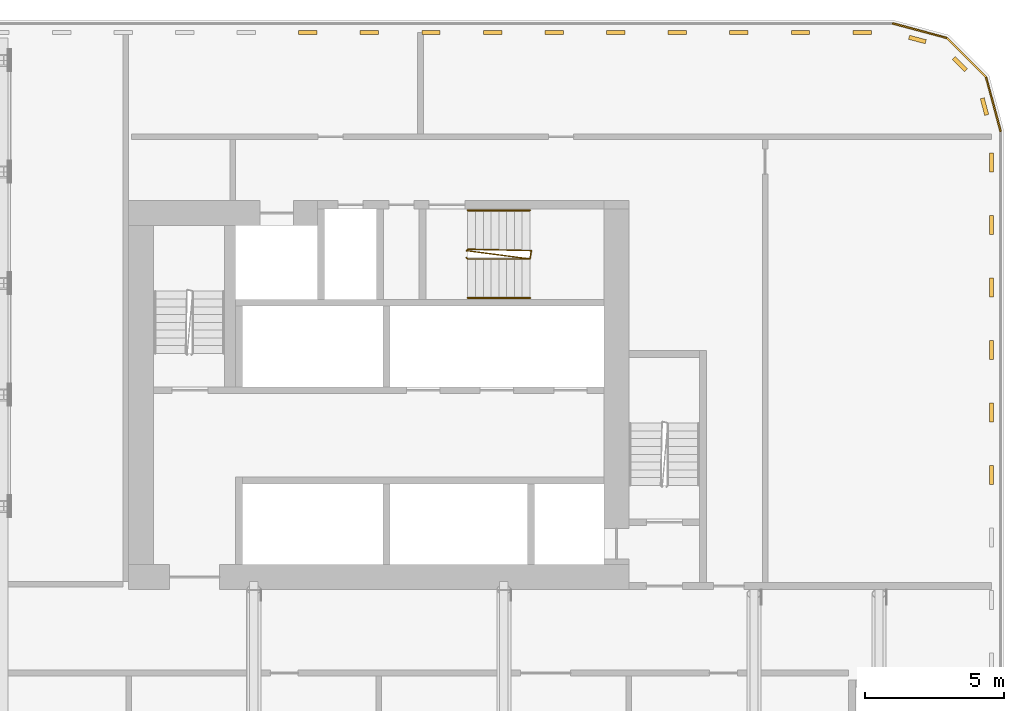
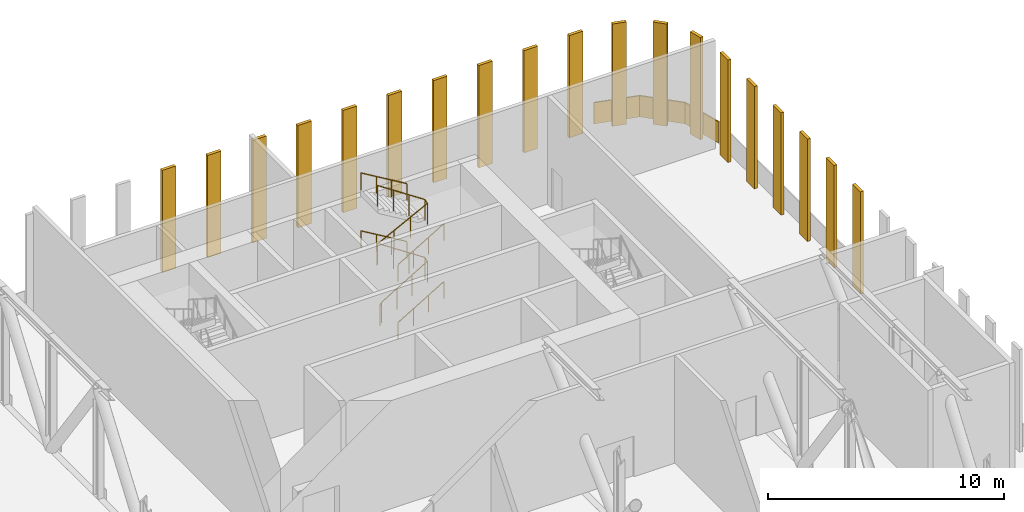
# One storey, part 26 of 26: 19 shading devices, 8 railings.
"""IFC4 building model written with IfcOpenShell, lengths in metres."""

from ifc_helpers import new_model, si_unit, direction, frame, origin, origin_2d, place, context, subcontext, project, spatial, polyline, rectangle, circle, outline, extrude, material, type_object, element, save


model = new_model("IFC4")

# Units and contexts
model_context = context("Model", 3, precision=1e-05, world=origin(), true_north=direction((0.0, 1.0)))
body_context = subcontext(model_context, "Body", "Model", "MODEL_VIEW")
ifc_project = project(units=[si_unit("LENGTHUNIT", "METRE"), si_unit("AREAUNIT", "SQUARE_METRE"), si_unit("VOLUMEUNIT", "CUBIC_METRE"), si_unit("PLANEANGLEUNIT", "RADIAN"), si_unit("MASSUNIT", "GRAM", prefix="KILO")], contexts=[model_context])

# Site, building, storey
site_placement = place(None, origin())
site = spatial("IfcSite", under=ifc_project, at=site_placement, CompositionType="ELEMENT")
building_placement = place(site_placement, origin())
building = spatial("IfcBuilding", under=site, at=building_placement, Name="Kajstack Hotel Tower", CompositionType="ELEMENT")
storey_placement = place(building_placement, frame((0.0, 0.0, 47.0)))
storey = spatial("IfcBuildingStorey", under=building, at=storey_placement, Name="L07", CompositionType="ELEMENT", Elevation=47.0)

# Railings
ifc_material = material(Name="Steel S355J2", Category="steel")
railing_type_1 = type_object("IfcRailingType", Name="GUARD-FACADE", PredefinedType="GUARDRAIL", material=ifc_material)
railing_1_placement = place(storey_placement, frame((44.8798828125, 17.984130859375, 0.0)))
element("IfcRailing", 1, at=railing_1_placement, inside=storey, type_object=railing_type_1, Name="Guard L07 slab edge 08", PredefinedType="GUARDRAIL", context=body_context, shape_type="SweptSolid", body=[
    extrude(outline(polyline([(-0.552490234375, 1.946044921875), (-0.494384765625, 1.961669921875), (0.029052734375, 0.0078125), (-0.029052734375, -0.0078125), (-0.552490234375, 1.946044921875)])), origin(), (0.0, 0.0, 1.0), 1.10009765625),
])
railing_2_placement = place(storey_placement, frame((44.3564453125, 19.93798828125, 0.0)))
element("IfcRailing", 2, at=railing_2_placement, inside=storey, type_object=railing_type_1, Name="Guard L07 slab edge 09", PredefinedType="GUARDRAIL", context=body_context, shape_type="SweptSolid", body=[
    extrude(outline(polyline([(-1.439697265625, 1.397216796875), (-1.397216796875, 1.439697265625), (0.021240234375, 0.021240234375), (-0.021240234375, -0.021240234375), (-1.439697265625, 1.397216796875)])), origin(), (0.0, 0.0, 1.0), 1.10009765625),
])
railing_3_placement = place(storey_placement, frame((42.93798828125, 21.3564453125, 0.0)))
element("IfcRailing", 3, at=railing_3_placement, inside=storey, type_object=railing_type_1, Name="Guard L07 slab edge 10", PredefinedType="GUARDRAIL", context=body_context, shape_type="SweptSolid", body=[
    extrude(outline(polyline([(-1.961669921875, 0.494384765625), (-1.946044921875, 0.552490234375), (0.0078125, 0.029052734375), (-0.0078125, -0.029052734375), (-1.961669921875, 0.494384765625)])), origin(), (0.0, 0.0, 1.0), 1.10009765625),
])
railing_type_2 = type_object("IfcRailingType", Name="Stair guard 1100", PredefinedType="GUARDRAIL", material=ifc_material)
railing_4_placement = place(storey_placement, frame((25.64990234375, 13.449951171875, 0.0)))
element("IfcRailing", 4, at=railing_4_placement, inside=storey, type_object=railing_type_2, Name="L07 E3 stair guard 1", PredefinedType="GUARDRAIL", context=body_context, shape_type="SweptSolid", body=[
    extrude(circle(Radius=0.02392578125, at=origin_2d()), frame((0.0, 0.0, 1.076171875), z_axis=(0.27628659633, -0.27628659633, 0.920506074601), x_axis=(0.707106781187, 0.707106781187, 0.0)), (0.0, 0.0, 1.0), 0.18115234375),
    extrude(circle(Radius=0.02392578125, at=origin_2d()), frame((0.050048828125, -0.050048828125, 1.24267578125), z_axis=(0.859305625298, 0.0, 0.511462454469), x_axis=(0.0, 1.0, 0.0)), (0.0, 0.0, 1.0), 2.606689453125),
    extrude(circle(Radius=0.02392578125, at=origin_2d()), frame((2.2900390625, -0.050048828125, 2.576171875), z_axis=(0.164529134168, 0.986372223864, 0.0), x_axis=(-0.986372223864, 0.164529134168, 0.0)), (0.0, 0.0, 1.0), 0.30419921875),
    extrude(circle(Radius=0.02392578125, at=origin_2d()), frame((2.340087890625, 0.25, 2.576171875), z_axis=(-0.836383386104, 0.01827916782, 0.547840034565), x_axis=(-0.0218497931, -0.999761264773, 0.0)), (0.0, 0.0, 1.0), 2.738037109375),
    extrude(circle(Radius=0.02392578125, at=origin_2d()), frame((0.050048828125, 0.300048828125, 4.076171875), z_axis=(-0.707106781187, -0.707106781187, 0.0), x_axis=(0.707106781187, -0.707106781187, 0.0)), (0.0, 0.0, 1.0), 0.07080078125),
    extrude(circle(Radius=0.02392578125, at=origin_2d()), frame((0.0, 0.25, 4.076171875), z_axis=(0.83154336719, -0.108951684251, 0.544669770577), x_axis=(0.129913080979, 0.991525386155, 0.0)), (0.0, 0.0, 1.0), 2.75390625),
    extrude(circle(Radius=0.02392578125, at=origin_2d()), frame((2.2900390625, -0.050048828125, 5.576171875), z_axis=(0.164529134168, 0.986372223864, 0.0), x_axis=(-0.986372223864, 0.164529134168, 0.0)), (0.0, 0.0, 1.0), 0.30419921875),
    extrude(circle(Radius=0.02392578125, at=origin_2d()), frame((2.340087890625, 0.25, 5.576171875), z_axis=(-0.836383386104, 0.01827916782, 0.547840034565), x_axis=(-0.0218497931, -0.999761264773, 0.0)), (0.0, 0.0, 1.0), 2.738037109375),
    extrude(circle(Radius=0.02099609375, at=origin_2d()), origin(), (0.0, 0.0, 1.0), 1.052001953125),
    extrude(circle(Radius=0.02099609375, at=origin_2d()), frame((0.050048828125, -0.050048828125, 0.166748046875)), (0.0, 0.0, 1.0), 1.052001953125),
    extrude(circle(Radius=0.02099609375, at=origin_2d()), frame((0.796630859375, -0.050048828125, 0.611083984375)), (0.0, 0.0, 1.0), 1.052001953125),
    extrude(circle(Radius=0.02099609375, at=origin_2d()), frame((1.54345703125, -0.050048828125, 1.0556640625)), (0.0, 0.0, 1.0), 1.052001953125),
    extrude(circle(Radius=0.02099609375, at=origin_2d()), frame((2.2900390625, -0.050048828125, 1.5)), (0.0, 0.0, 1.0), 1.052001953125),
    extrude(circle(Radius=0.02099609375, at=origin_2d()), frame((2.340087890625, 0.25, 1.5)), (0.0, 0.0, 1.0), 1.052001953125),
    extrude(circle(Radius=0.02099609375, at=origin_2d()), frame((1.57666015625, 0.2666015625, 2.0)), (0.0, 0.0, 1.0), 1.052001953125),
    extrude(circle(Radius=0.02099609375, at=origin_2d()), frame((0.8134765625, 0.283447265625, 2.5)), (0.0, 0.0, 1.0), 1.052001953125),
    extrude(circle(Radius=0.02099609375, at=origin_2d()), frame((0.050048828125, 0.300048828125, 3.0)), (0.0, 0.0, 1.0), 1.052001953125),
    extrude(circle(Radius=0.02099609375, at=origin_2d()), frame((0.0, 0.25, 3.0)), (0.0, 0.0, 1.0), 1.052001953125),
    extrude(circle(Radius=0.02099609375, at=origin_2d()), frame((0.763427734375, 0.14990234375, 3.5)), (0.0, 0.0, 1.0), 1.052001953125),
    extrude(circle(Radius=0.02099609375, at=origin_2d()), frame((1.526611328125, 0.050048828125, 4.0)), (0.0, 0.0, 1.0), 1.052001953125),
    extrude(circle(Radius=0.02099609375, at=origin_2d()), frame((2.2900390625, -0.050048828125, 4.5)), (0.0, 0.0, 1.0), 1.052001953125),
    extrude(circle(Radius=0.02099609375, at=origin_2d()), frame((2.340087890625, 0.25, 4.5)), (0.0, 0.0, 1.0), 1.052001953125),
    extrude(circle(Radius=0.02099609375, at=origin_2d()), frame((1.57666015625, 0.2666015625, 5.0)), (0.0, 0.0, 1.0), 1.052001953125),
    extrude(circle(Radius=0.02099609375, at=origin_2d()), frame((0.8134765625, 0.283447265625, 5.5)), (0.0, 0.0, 1.0), 1.052001953125),
    extrude(circle(Radius=0.02099609375, at=origin_2d()), frame((0.050048828125, 0.300048828125, 6.0)), (0.0, 0.0, 1.0), 1.052001953125),
])
railing_type_3 = type_object("IfcRailingType", Name="Stair handrail 900", PredefinedType="HANDRAIL", material=ifc_material)
railing_5_placement = place(storey_placement, frame((25.699951171875, 12.0, 0.166748046875)))
element("IfcRailing", 5, at=railing_5_placement, inside=storey, type_object=railing_type_3, Name="L07 E3 stair handrail 1", PredefinedType="HANDRAIL", context=body_context, shape_type="SweptSolid", body=[
    extrude(circle(Radius=0.02392578125, at=origin_2d()), frame((0.0, 0.0, 0.8759765625), z_axis=(0.859305625298, 0.0, 0.511462454469), x_axis=(0.0, 1.0, 0.0)), (0.0, 0.0, 1.0), 2.606689453125),
    extrude(circle(Radius=0.02099609375, at=origin_2d()), origin(), (0.0, 0.0, 1.0), 0.851806640625),
    extrude(circle(Radius=0.02099609375, at=origin_2d()), frame((0.74658203125, 0.0, 0.4443359375)), (0.0, 0.0, 1.0), 0.851806640625),
    extrude(circle(Radius=0.02099609375, at=origin_2d()), frame((1.493408203125, 0.0, 0.888916015625)), (0.0, 0.0, 1.0), 0.851806640625),
    extrude(circle(Radius=0.02099609375, at=origin_2d()), frame((2.239990234375, 0.0, 1.333251953125)), (0.0, 0.0, 1.0), 0.851806640625),
])
railing_6_placement = place(storey_placement, frame((27.93994140625, 15.14990234375, 1.666748046875)))
element("IfcRailing", 6, at=railing_6_placement, inside=storey, type_object=railing_type_3, Name="L07 E3 stair handrail 2", PredefinedType="HANDRAIL", context=body_context, shape_type="SweptSolid", body=[
    extrude(circle(Radius=0.02392578125, at=origin_2d()), frame((0.0, 0.0, 0.8759765625), z_axis=(-0.859305625298, 0.0, 0.511462454469), x_axis=(0.0, -1.0, 0.0)), (0.0, 0.0, 1.0), 2.606689453125),
    extrude(circle(Radius=0.02099609375, at=origin_2d()), origin(), (0.0, 0.0, 1.0), 0.851806640625),
    extrude(circle(Radius=0.02099609375, at=origin_2d()), frame((-0.74658203125, 0.0, 0.4443359375)), (0.0, 0.0, 1.0), 0.851806640625),
    extrude(circle(Radius=0.02099609375, at=origin_2d()), frame((-1.493408203125, 0.0, 0.888916015625)), (0.0, 0.0, 1.0), 0.851806640625),
    extrude(circle(Radius=0.02099609375, at=origin_2d()), frame((-2.239990234375, 0.0, 1.333251953125)), (0.0, 0.0, 1.0), 0.851806640625),
])
railing_7_placement = place(storey_placement, frame((25.699951171875, 12.0, 3.166748046875)))
element("IfcRailing", 7, at=railing_7_placement, inside=storey, type_object=railing_type_3, Name="L07 E3 stair handrail 3", PredefinedType="HANDRAIL", context=body_context, shape_type="SweptSolid", body=[
    extrude(circle(Radius=0.02392578125, at=origin_2d()), frame((0.0, 0.0, 0.8759765625), z_axis=(0.859305625298, 0.0, 0.511462454469), x_axis=(0.0, 1.0, 0.0)), (0.0, 0.0, 1.0), 2.606689453125),
    extrude(circle(Radius=0.02099609375, at=origin_2d()), origin(), (0.0, 0.0, 1.0), 0.851806640625),
    extrude(circle(Radius=0.02099609375, at=origin_2d()), frame((0.74658203125, 0.0, 0.4443359375)), (0.0, 0.0, 1.0), 0.851806640625),
    extrude(circle(Radius=0.02099609375, at=origin_2d()), frame((1.493408203125, 0.0, 0.888916015625)), (0.0, 0.0, 1.0), 0.851806640625),
    extrude(circle(Radius=0.02099609375, at=origin_2d()), frame((2.239990234375, 0.0, 1.333251953125)), (0.0, 0.0, 1.0), 0.851806640625),
])
railing_8_placement = place(storey_placement, frame((27.93994140625, 15.14990234375, 4.666748046875)))
element("IfcRailing", 8, at=railing_8_placement, inside=storey, type_object=railing_type_3, Name="L07 E3 stair handrail 4", PredefinedType="HANDRAIL", context=body_context, shape_type="SweptSolid", body=[
    extrude(circle(Radius=0.02392578125, at=origin_2d()), frame((0.0, 0.0, 0.8759765625), z_axis=(-0.859305625298, 0.0, 0.511462454469), x_axis=(0.0, -1.0, 0.0)), (0.0, 0.0, 1.0), 2.606689453125),
    extrude(circle(Radius=0.02099609375, at=origin_2d()), origin(), (0.0, 0.0, 1.0), 0.851806640625),
    extrude(circle(Radius=0.02099609375, at=origin_2d()), frame((-0.74658203125, 0.0, 0.4443359375)), (0.0, 0.0, 1.0), 0.851806640625),
    extrude(circle(Radius=0.02099609375, at=origin_2d()), frame((-1.493408203125, 0.0, 0.888916015625)), (0.0, 0.0, 1.0), 0.851806640625),
    extrude(circle(Radius=0.02099609375, at=origin_2d()), frame((-2.239990234375, 0.0, 1.333251953125)), (0.0, 0.0, 1.0), 0.851806640625),
])

# Shading devices
for number, where, z_axis, x_axis, name in (
    (9, (44.550048828125, 5.625, 0.0), (0.0, 0.0, 1.0), (0.0, 1.0, 0.0), "Screen L07-07-11"),
    (10, (44.550048828125, 7.875, 0.0), (0.0, 0.0, 1.0), (0.0, 1.0, 0.0), "Screen L07-07-12"),
    (11, (44.550048828125, 10.125, 0.0), (0.0, 0.0, 1.0), (0.0, 1.0, 0.0), "Screen L07-07-13"),
    (12, (44.550048828125, 12.375, 0.0), (0.0, 0.0, 1.0), (0.0, 1.0, 0.0), "Screen L07-07-14"),
    (13, (44.550048828125, 14.625, 0.0), (0.0, 0.0, 1.0), (0.0, 1.0, 0.0), "Screen L07-07-15"),
    (14, (44.550048828125, 16.875, 0.0), (0.0, 0.0, 1.0), (0.0, 1.0, 0.0), "Screen L07-07-16"),
):
    element("IfcShadingDevice", number, at=place(storey_placement, frame(where, z_axis=z_axis, x_axis=x_axis)), inside=storey, Name=name, ObjectType="SCREEN", PredefinedType="USERDEFINED", context=body_context, shape_type="SweptSolid", body=[
        extrude(rectangle(XDim=0.675048828125, YDim=0.14990234375, at=origin_2d()), origin(), (0.0, 0.0, 1.0), 5.300048828125),
    ])
for number, where, z_axis, x_axis, name in (
    (15, (44.29736328125, 18.883544921875, 0.0), (0.0, 0.0, 1.0), (-0.258819770022, 0.965925632047, 0.0), "Screen L07-08-01"),
    (16, (43.413818359375, 20.413818359375, 0.0), (0.0, 0.0, 1.0), (-0.707106781187, 0.707106781187, 0.0), "Screen L07-09-01"),
    (17, (41.883544921875, 21.29736328125, 0.0), (0.0, 0.0, 1.0), (-0.965925632047, 0.258819770022, 0.0), "Screen L07-10-01"),
):
    element("IfcShadingDevice", number, at=place(storey_placement, frame(where, z_axis=z_axis, x_axis=x_axis)), inside=storey, Name=name, ObjectType="SCREEN", PredefinedType="USERDEFINED", context=body_context, shape_type="SweptSolid", body=[
        extrude(rectangle(XDim=0.62109375, YDim=0.14990234375, at=origin_2d()), origin(), (0.0, 0.0, 1.0), 5.300048828125),
    ])
for number, where, z_axis, x_axis, name in (
    (18, (39.891845703125, 21.550048828125, 0.0), (0.0, 0.0, 1.0), (-1.0, 0.0, 0.0), "Screen L07-11-01"),
    (19, (37.67578125, 21.550048828125, 0.0), (0.0, 0.0, 1.0), (-1.0, 0.0, 0.0), "Screen L07-11-02"),
    (20, (35.45947265625, 21.550048828125, 0.0), (0.0, 0.0, 1.0), (-1.0, 0.0, 0.0), "Screen L07-11-03"),
    (21, (33.2431640625, 21.550048828125, 0.0), (0.0, 0.0, 1.0), (-1.0, 0.0, 0.0), "Screen L07-11-04"),
    (22, (31.027099609375, 21.550048828125, 0.0), (0.0, 0.0, 1.0), (-1.0, 0.0, 0.0), "Screen L07-11-05"),
    (23, (28.810791015625, 21.550048828125, 0.0), (0.0, 0.0, 1.0), (-1.0, 0.0, 0.0), "Screen L07-11-06"),
    (24, (26.594482421875, 21.550048828125, 0.0), (0.0, 0.0, 1.0), (-1.0, 0.0, 0.0), "Screen L07-11-07"),
    (25, (24.37841796875, 21.550048828125, 0.0), (0.0, 0.0, 1.0), (-1.0, 0.0, 0.0), "Screen L07-11-08"),
    (26, (22.162109375, 21.550048828125, 0.0), (0.0, 0.0, 1.0), (-1.0, 0.0, 0.0), "Screen L07-11-09"),
    (27, (19.946044921875, 21.550048828125, 0.0), (0.0, 0.0, 1.0), (-1.0, 0.0, 0.0), "Screen L07-11-10"),
):
    element("IfcShadingDevice", number, at=place(storey_placement, frame(where, z_axis=z_axis, x_axis=x_axis)), inside=storey, Name=name, ObjectType="SCREEN", PredefinedType="USERDEFINED", context=body_context, shape_type="SweptSolid", body=[
        extrude(rectangle(XDim=0.664794921875, YDim=0.14990234375, at=origin_2d()), origin(), (0.0, 0.0, 1.0), 5.300048828125),
    ])

save(model, "model.ifc")
